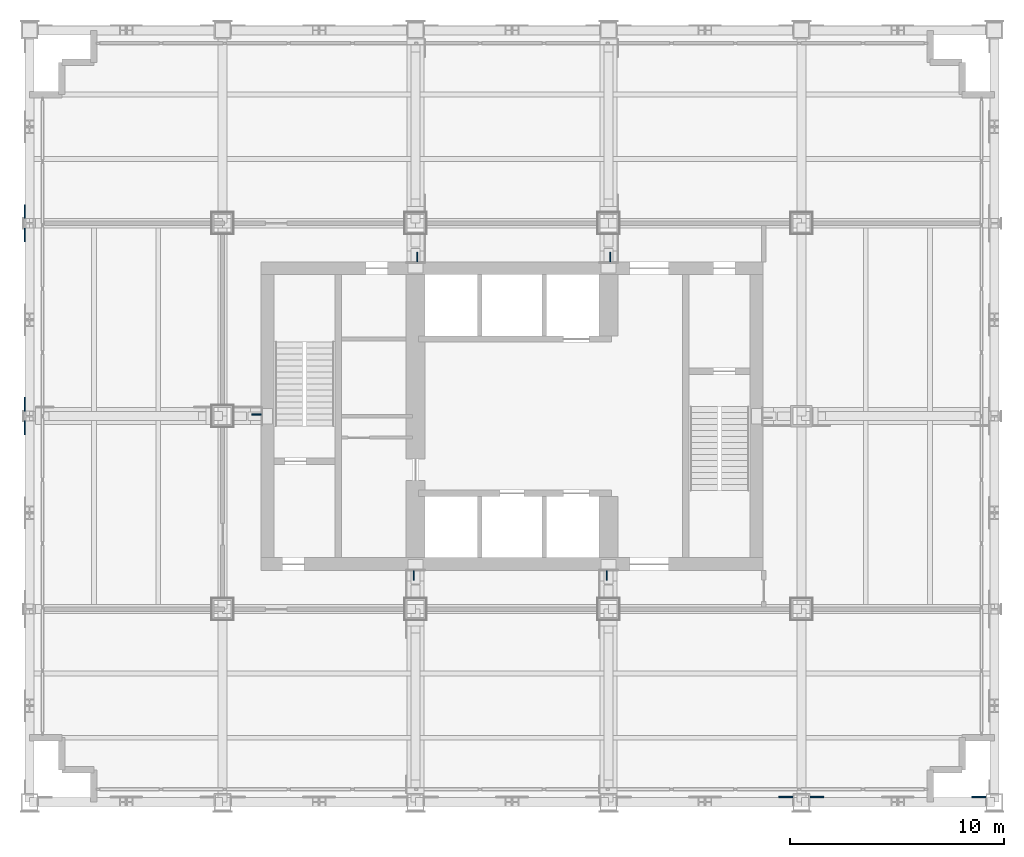
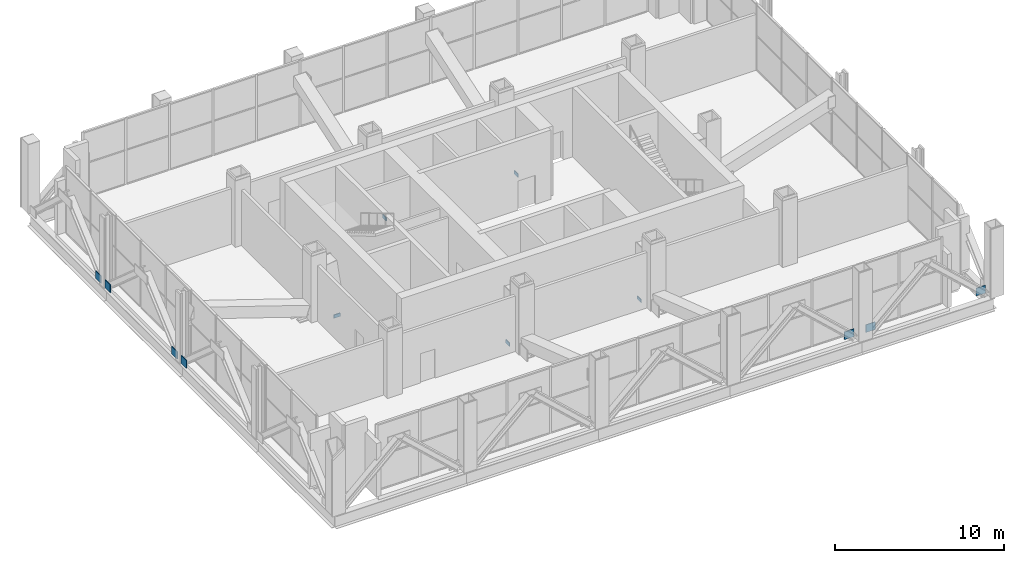
# One storey, part 12 of 16: 12 plates.
"""IFC4 building model written with IfcOpenShell, lengths in metres."""

from ifc_helpers import new_model, si_unit, direction, frame, origin, origin_2d, place, context, subcontext, project, spatial, rectangle, extrude, material, layer, layer_set, type_object, element, save


model = new_model("IFC4")

# Units and contexts
model_context = context("Model", 3, precision=1e-05, world=origin(), true_north=direction((0.0, 1.0)))
body_context = subcontext(model_context, "Body", "Model", "MODEL_VIEW")
ifc_project = project(units=[si_unit("LENGTHUNIT", "METRE"), si_unit("AREAUNIT", "SQUARE_METRE"), si_unit("VOLUMEUNIT", "CUBIC_METRE"), si_unit("PLANEANGLEUNIT", "RADIAN"), si_unit("MASSUNIT", "GRAM", prefix="KILO")], contexts=[model_context])

# Site, building, storey
site_placement = place(None, origin())
site = spatial("IfcSite", under=ifc_project, at=site_placement, CompositionType="ELEMENT")
building_placement = place(site_placement, origin())
building = spatial("IfcBuilding", under=site, at=building_placement, Name="Loomwork Tower", CompositionType="ELEMENT")
storey_placement = place(building_placement, frame((0.0, 0.0, 155.39990234375)))
storey = spatial("IfcBuildingStorey", under=building, at=storey_placement, Name="L42", CompositionType="ELEMENT", Elevation=155.39990234375)

# Plates
ifc_material_1 = material(Name="Steel ASTM A572 Grade 50 plate", Category="steel")
ifc_layer_1 = layer(ifc_material_1, 0.050048828125)
ifc_layer_set_1 = layer_set([ifc_layer_1], Name="OUTRIGGER SHEAR PLATE 50")
plate_type_1 = type_object("IfcPlateType", Name="OUTRIGGER SHEAR PLATE 50", PredefinedType="SHEET", material=ifc_layer_set_1)
for number, where, z_axis, x_axis, name in (
    (1, (26.922119140625, 10.575439453125, -0.66943359375), (0.0, 0.0, 1.0), (0.0, 1.0, 0.0), "Outrigger shear plate 27,9-27,11.1 L42"),
    (2, (27.077880859375, 25.424560546875, -0.66943359375), (0.0, 0.0, 1.0), (0.0, 1.0, 0.0), "Outrigger shear plate 27,27-27,24.9 L42"),
    (3, (17.922119140625, 10.575439453125, -0.66943359375), (0.0, 0.0, 1.0), (0.0, 1.0, 0.0), "Outrigger shear plate 18,9-18,11.1 L42"),
    (4, (18.077880859375, 25.424560546875, -0.66943359375), (0.0, 0.0, 1.0), (0.0, 1.0, 0.0), "Outrigger shear plate 18,27-18,24.9 L42"),
    (5, (10.575439453125, 18.077880859375, -0.66943359375), (0.0, 0.0, 1.0), (1.0, 0.0, 0.0), "Outrigger shear plate 9,18-11.1,18 L42"),
):
    element("IfcPlate", number, at=place(storey_placement, frame(where, z_axis=z_axis, x_axis=x_axis)), inside=storey, type_object=plate_type_1, Name=name, PredefinedType="SHEET", context=body_context, shape_type="SweptSolid", body=[
        extrude(rectangle(XDim=0.449951171875, YDim=0.050048828125, at=origin_2d()), origin(), (0.0, 0.0, 1.0), 0.239990234375),
    ])
ifc_material_2 = material(Name="Steel ASTM A572 Grade 50 plate", Category="steel")
ifc_layer_2 = layer(ifc_material_2, 0.050048828125)
ifc_layer_set_2 = layer_set([ifc_layer_2], Name="BELT TRUSS PIER GUSSET PLATE 50")
plate_type_2 = type_object("IfcPlateType", Name="BELT TRUSS PIER GUSSET PLATE 50", PredefinedType="SHEET", material=ifc_layer_set_2)
for number, where, z_axis, x_axis, name in (
    (6, (35.27294921875, 0.235595703125, 0.001953125), (0.0, 0.0, 1.0), (1.0, 0.0, 0.0), "Belt truss pier gusset plate D/5-D/6 2 L42"),
    (7, (36.72705078125, 0.235595703125, 0.001953125), (0.0, 0.0, 1.0), (1.0, 0.0, 0.0), "Belt truss pier gusset plate D/6-D/7 1 L42"),
    (8, (44.27294921875, 0.235595703125, 0.001953125), (0.0, 0.0, 1.0), (1.0, 0.0, 0.0), "Belt truss pier gusset plate D/6-D/7 2 L42"),
    (9, (-0.235595703125, 17.451904296875, 0.001953125), (0.0, 0.0, 1.0), (0.0, 1.0, 0.0), "Belt truss pier gusset plate E/2-F/2 2 L42"),
    (10, (-0.235595703125, 18.548095703125, 0.001953125), (0.0, 0.0, 1.0), (0.0, 1.0, 0.0), "Belt truss pier gusset plate F/2-G/2 1 L42"),
    (11, (-0.235595703125, 26.451904296875, 0.001953125), (0.0, 0.0, 1.0), (0.0, 1.0, 0.0), "Belt truss pier gusset plate F/2-G/2 2 L42"),
    (12, (-0.235595703125, 27.548095703125, 0.001953125), (0.0, 0.0, 1.0), (0.0, 1.0, 0.0), "Belt truss pier gusset plate G/2-H/2 1 L42"),
):
    element("IfcPlate", number, at=place(storey_placement, frame(where, z_axis=z_axis, x_axis=x_axis)), inside=storey, type_object=plate_type_2, Name=name, PredefinedType="SHEET", context=body_context, shape_type="SweptSolid", body=[
        extrude(rectangle(XDim=0.64990234375, YDim=0.050048828125, at=origin_2d()), origin(), (0.0, 0.0, 1.0), 0.550048828125),
    ])

save(model, "model.ifc")
